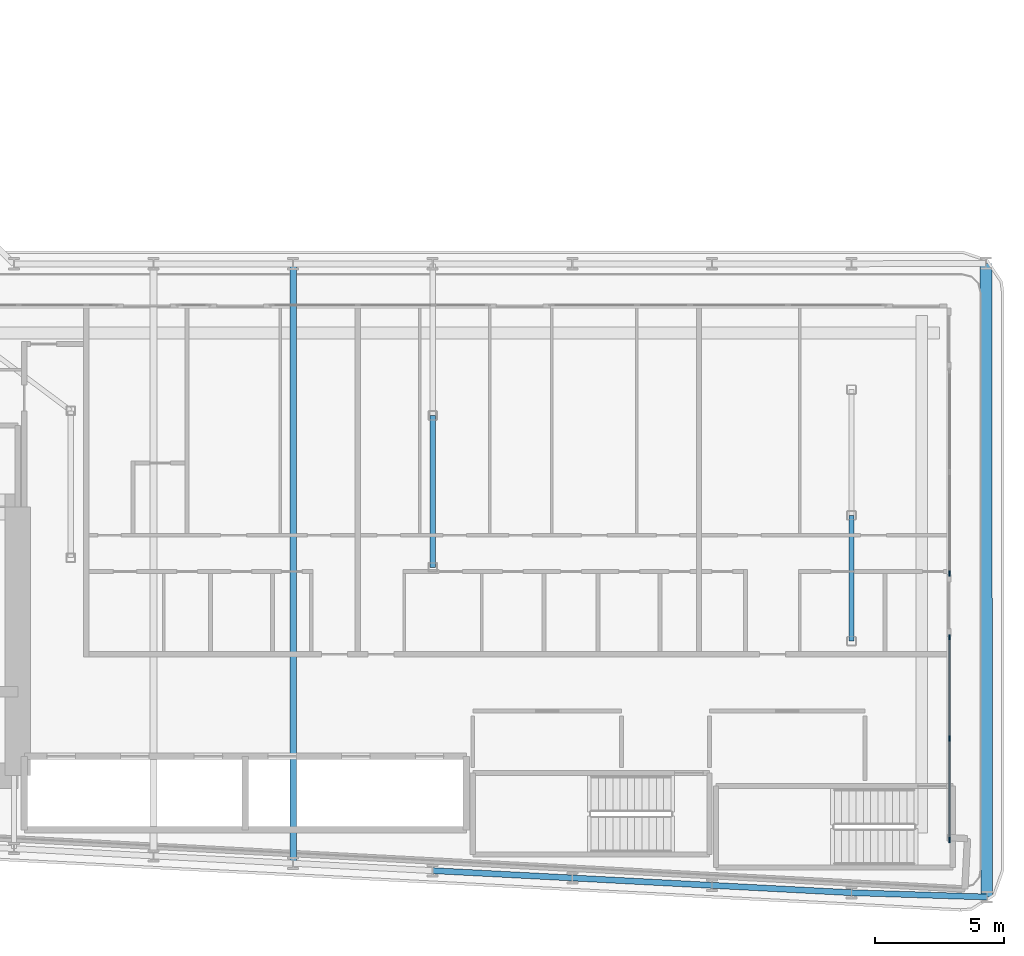
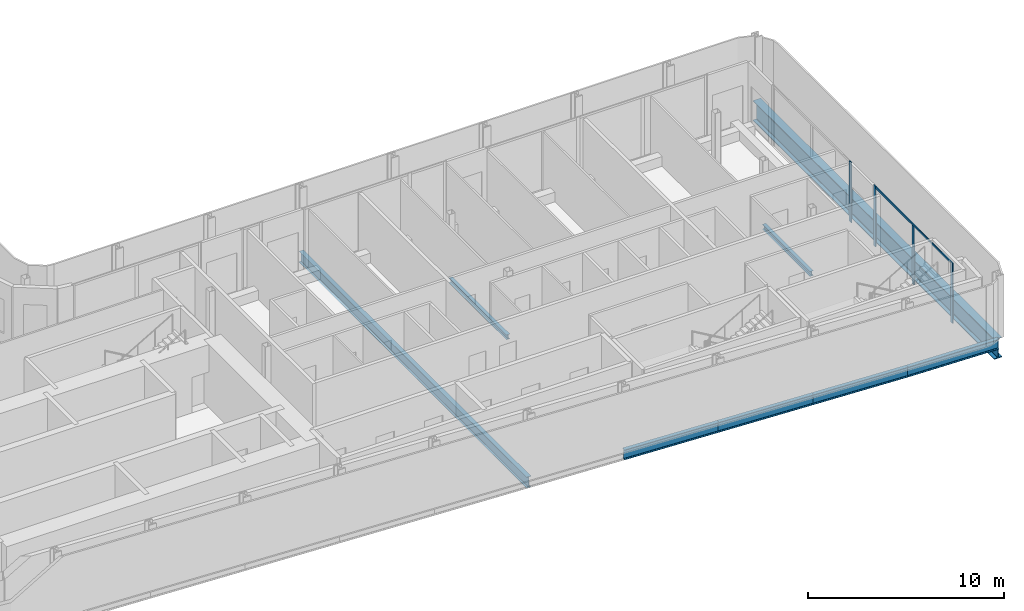
# One storey, part 5 of 24: 8 beams, 5 members, 2 elements without a shape of their own.
"""IFC4 building model written with IfcOpenShell, lengths in metres."""

from ifc_helpers import new_model, si_unit, direction, frame, origin, origin_2d, place, context, subcontext, project, spatial, rectangle, i_section, extrude, material, layer, layer_set, material_profile, profile_set, type_object, element, aggregate, save


model = new_model("IFC4")

# Units and contexts
model_context = context("Model", 3, precision=1e-05, world=origin(), true_north=direction((0.0, 1.0)))
body_context = subcontext(model_context, "Body", "Model", "MODEL_VIEW")
ifc_project = project(units=[si_unit("LENGTHUNIT", "METRE"), si_unit("AREAUNIT", "SQUARE_METRE"), si_unit("VOLUMEUNIT", "CUBIC_METRE"), si_unit("PLANEANGLEUNIT", "RADIAN"), si_unit("MASSUNIT", "GRAM", prefix="KILO")], contexts=[model_context])

# Site, building, storey
site_placement = place(None, origin())
site = spatial("IfcSite", under=ifc_project, at=site_placement, CompositionType="ELEMENT")
building_placement = place(site_placement, origin())
building = spatial("IfcBuilding", under=site, at=building_placement, Name="Kheshtan School and Residences Tower", CompositionType="ELEMENT")
storey_placement = place(building_placement, frame((0.0, 0.0, 38.300048828125)))
storey = spatial("IfcBuildingStorey", under=building, at=storey_placement, Name="L08", CompositionType="ELEMENT", Elevation=38.300048828125)

# Beams
ifc_material_1 = material(Name="Steel ASTM A992 Grade 50", Category="steel")
ifc_material_profile_1 = material_profile(ifc_material_1, i_section(OverallWidth=0.202880859375, OverallDepth=0.302978515625, WebThickness=0.007568359375, FlangeThickness=0.01318359375, FilletRadius=0.009033203125, at=origin_2d()), Name="W310x60")
ifc_profile_set_1 = profile_set([ifc_material_profile_1], Name="Steel ASTM A992 Grade 50")
beam_type_1 = type_object("IfcBeamType", Name="Beam FB1 W310x60 ASTM A992 Grade 50", PredefinedType="BEAM", material=ifc_profile_set_1)
beam_1_placement = place(storey_placement, frame((85.39990234375, 31.0048828125, -0.301513671875), z_axis=(0.0, 1.0, 0.0), x_axis=(-1.0, 0.0, 0.0)))
element("IfcBeam", 1, at=beam_1_placement, inside=storey, type_object=beam_type_1, Name="Floor beam IC", PredefinedType="BEAM", context=body_context, shape_type="SweptSolid", body=[
    extrude(i_section(OverallWidth=0.202880859375, OverallDepth=0.302978515625, WebThickness=0.007568359375, FlangeThickness=0.01318359375, FilletRadius=0.009033203125, at=origin_2d()), origin(), (0.0, 0.0, 1.0), 4.865234375),
])
beam_2_placement = place(storey_placement, frame((69.199951171875, 33.863037109375, -0.301513671875), z_axis=(0.0, 1.0, 0.0), x_axis=(-1.0, 0.0, 0.0)))
element("IfcBeam", 2, at=beam_2_placement, inside=storey, type_object=beam_type_1, Name="Floor beam IC", PredefinedType="BEAM", context=body_context, shape_type="SweptSolid", body=[
    extrude(i_section(OverallWidth=0.202880859375, OverallDepth=0.302978515625, WebThickness=0.007568359375, FlangeThickness=0.01318359375, FilletRadius=0.009033203125, at=origin_2d()), origin(), (0.0, 0.0, 1.0), 5.868896484375),
])
ifc_material_profile_2 = material_profile(ifc_material_1, i_section(OverallWidth=0.2529296875, OverallDepth=0.677978515625, WebThickness=0.01171875, FlangeThickness=0.016357421875, FilletRadius=0.0146484375, at=origin_2d()), Name="W690x125")
ifc_profile_set_2 = profile_set([ifc_material_profile_2], Name="Steel ASTM A992 Grade 50")
beam_type_2 = type_object("IfcBeamType", Name="Beam FB6 W690x125 ASTM A992 Grade 50", PredefinedType="BEAM", material=ifc_profile_set_2)
beam_3_placement = place(storey_placement, frame((63.800048828125, 22.410888671875, -0.489013671875), z_axis=(0.0, 1.0, 0.0), x_axis=(-1.0, 0.0, 0.0)))
element("IfcBeam", 3, at=beam_3_placement, inside=storey, type_object=beam_type_2, Name="Floor beam C016", PredefinedType="BEAM", context=body_context, shape_type="SweptSolid", body=[
    extrude(i_section(OverallWidth=0.2529296875, OverallDepth=0.677978515625, WebThickness=0.01171875, FlangeThickness=0.016357421875, FilletRadius=0.0146484375, at=origin_2d()), origin(), (0.0, 0.0, 1.0), 23.189208984375),
])
ifc_material_profile_3 = material_profile(ifc_material_1, i_section(OverallWidth=0.22998046875, OverallDepth=0.616943359375, WebThickness=0.01318359375, FlangeThickness=0.022216796875, FilletRadius=0.0185546875, at=origin_2d()), Name="W610x140")
ifc_profile_set_3 = profile_set([ifc_material_profile_3], Name="Steel ASTM A992 Grade 50")
beam_type_3 = type_object("IfcBeamType", Name="Beam SP1 W610x140 ASTM A992 Grade 50", PredefinedType="BEAM", material=ifc_profile_set_3)
beam_4_placement = place(storey_placement, frame((90.637939453125, 21.10693359375, -0.45849609375), z_axis=(-0.999492198162, 0.031864491426, 0.0), x_axis=(-0.031864491426, -0.999492198162, 0.0)))
element("IfcBeam", 4, at=beam_4_placement, inside=storey, type_object=beam_type_3, Name="Spandrel beam C007-C008", PredefinedType="BEAM", context=body_context, shape_type="SweptSolid", body=[
    extrude(i_section(OverallWidth=0.22998046875, OverallDepth=0.616943359375, WebThickness=0.01318359375, FlangeThickness=0.022216796875, FilletRadius=0.0185546875, at=origin_2d()), origin(), (0.0, 0.0, 1.0), 5.24072265625),
])
for number, where, z_axis, x_axis, name in (
    (5, (85.39990234375, 21.27392578125, -0.45849609375), (-0.998618078766, 0.052554093665, 0.0), (-0.052554093665, -0.998618078766, 0.0), "Spandrel beam C008-C012"),
    (6, (80.0, 21.55810546875, -0.45849609375), (-0.998610961136, 0.052689166816, 0.0), (-0.052689166816, -0.998610961136, 0.0), "Spandrel beam C012-C013"),
):
    element("IfcBeam", number, at=place(storey_placement, frame(where, z_axis=z_axis, x_axis=x_axis)), inside=storey, type_object=beam_type_3, Name=name, PredefinedType="BEAM", context=body_context, shape_type="SweptSolid", body=[
        extrude(i_section(OverallWidth=0.22998046875, OverallDepth=0.616943359375, WebThickness=0.01318359375, FlangeThickness=0.022216796875, FilletRadius=0.0185546875, at=origin_2d()), origin(), (0.0, 0.0, 1.0), 5.407470703125),
    ])
beam_5_placement = place(storey_placement, frame((74.60009765625, 21.843017578125, -0.45849609375), z_axis=(-0.998620571751, 0.05250670125, 0.0), x_axis=(-0.05250670125, -0.998620571751, 0.0)))
element("IfcBeam", 7, at=beam_5_placement, inside=storey, type_object=beam_type_3, Name="Spandrel beam C013-C014", PredefinedType="BEAM", context=body_context, shape_type="SweptSolid", body=[
    extrude(i_section(OverallWidth=0.22998046875, OverallDepth=0.616943359375, WebThickness=0.01318359375, FlangeThickness=0.022216796875, FilletRadius=0.0185546875, at=origin_2d()), origin(), (0.0, 0.0, 1.0), 5.40771484375),
])

# Curtain wall, member
ifc_material_2 = material(Name="Clear low-e glass in thermally broken aluminium frame", Category="aluminium")
ifc_layer = layer(ifc_material_2, 0.199951171875)
ifc_layer_set = layer_set([ifc_layer], Name="Curtain wall CW-L")
curtain_wall_type = type_object("IfcCurtainWallType", Name="Curtain wall CW-L", PredefinedType="NOTDEFINED", material=ifc_layer_set)
curtain_wall_1_placement = place(storey_placement, origin())
curtain_wall_1 = element("IfcCurtainWall", 8, at=curtain_wall_1_placement, inside=storey, type_object=curtain_wall_type, Name="Curtain wall CWL13", PredefinedType="NOTDEFINED")
ifc_material_3 = material(Name="Thermally broken aluminium, dark bronze anodised", Category="aluminium")
ifc_material_profile_4 = material_profile(ifc_material_3, rectangle(XDim=0.06005859375, YDim=0.199951171875, at=origin_2d()), Name="CW-L mullion 60x200")
ifc_profile_set_4 = profile_set([ifc_material_profile_4], Name="Thermally broken aluminium, dark bronze anodised")
member_type_1 = type_object("IfcMemberType", Name="CW-L mullion 60x200", PredefinedType="MULLION", material=ifc_profile_set_4)
member_1_placement = place(storey_placement, frame((89.199951171875, 33.62158203125, 0.0), z_axis=(0.0, 0.0, 1.0), x_axis=(1.0, 0.0, 0.0)))
member_1 = element("IfcMember", 9, at=member_1_placement, type_object=member_type_1, Name="CWL13 mullion 3", PredefinedType="MULLION", context=body_context, shape_type="SweptSolid", body=[
    extrude(rectangle(XDim=0.06005859375, YDim=0.199951171875, at=origin_2d()), origin(), (0.0, 0.0, 1.0), 3.75),
])
aggregate(curtain_wall_1, [member_1])

# Curtain wall, members
curtain_wall_2_placement = place(storey_placement, origin())
curtain_wall_2 = element("IfcCurtainWall", 10, at=curtain_wall_2_placement, inside=storey, type_object=curtain_wall_type, Name="Curtain wall CWL13", PredefinedType="NOTDEFINED")
member_2_placement = place(storey_placement, frame((89.199951171875, 31.16162109375, 0.0), z_axis=(0.0, 0.0, 1.0), x_axis=(1.0, 0.0, 0.0)))
member_2 = element("IfcMember", 11, at=member_2_placement, type_object=member_type_1, Name="CWL13 mullion 1", PredefinedType="MULLION", context=body_context, shape_type="SweptSolid", body=[
    extrude(rectangle(XDim=0.06005859375, YDim=0.199951171875, at=origin_2d()), origin(), (0.0, 0.0, 1.0), 3.75),
])
member_3_placement = place(storey_placement, frame((89.199951171875, 27.2373046875, 0.0), z_axis=(0.0, 0.0, 1.0), x_axis=(1.0, 0.0, 0.0)))
member_3 = element("IfcMember", 12, at=member_3_placement, type_object=member_type_1, Name="CWL13 mullion 2", PredefinedType="MULLION", context=body_context, shape_type="SweptSolid", body=[
    extrude(rectangle(XDim=0.06005859375, YDim=0.199951171875, at=origin_2d()), origin(), (0.0, 0.0, 1.0), 3.6298828125),
])
member_4_placement = place(storey_placement, frame((89.199951171875, 23.31298828125, 0.0), z_axis=(0.0, 0.0, 1.0), x_axis=(1.0, 0.0, 0.0)))
member_4 = element("IfcMember", 13, at=member_4_placement, type_object=member_type_1, Name="CWL13 mullion 3", PredefinedType="MULLION", context=body_context, shape_type="SweptSolid", body=[
    extrude(rectangle(XDim=0.06005859375, YDim=0.199951171875, at=origin_2d()), origin(), (0.0, 0.0, 1.0), 3.75),
])
ifc_material_profile_5 = material_profile(ifc_material_3, rectangle(XDim=0.06005859375, YDim=0.1201171875, at=origin_2d()), Name="CW-L transom 60x120")
ifc_profile_set_5 = profile_set([ifc_material_profile_5], Name="Thermally broken aluminium, dark bronze anodised")
member_type_2 = type_object("IfcMemberType", Name="CW-L transom 60x120", PredefinedType="USERDEFINED", material=ifc_profile_set_5)
member_5_placement = place(storey_placement, frame((89.199951171875, 31.131591796875, 3.68994140625), z_axis=(0.0, -1.0, 0.0), x_axis=(1.0, 0.0, 0.0)))
member_5 = element("IfcMember", 14, at=member_5_placement, type_object=member_type_2, Name="CWL13 transom 1", ObjectType="TRANSOM", PredefinedType="USERDEFINED", context=body_context, shape_type="SweptSolid", body=[
    extrude(rectangle(XDim=0.06005859375, YDim=0.1201171875, at=origin_2d()), origin(), (0.0, 0.0, 1.0), 7.78857421875),
])
aggregate(curtain_wall_2, [member_2, member_3, member_4, member_5])

# Beam
ifc_material_profile_6 = material_profile(ifc_material_1, i_section(OverallWidth=0.449951171875, OverallDepth=1.25, WebThickness=0.02490234375, FlangeThickness=0.044921875, FilletRadius=0.03759765625, at=origin_2d()), Name="WWF1250x546")
ifc_profile_set_6 = profile_set([ifc_material_profile_6], Name="Steel ASTM A992 Grade 50")
beam_type_4 = type_object("IfcBeamType", Name="Transfer girder TG4 WWF1250x546 ASTM A992 Grade 50", PredefinedType="BEAM", material=ifc_profile_set_6)
beam_6_placement = place(storey_placement, frame((90.60107421875, 45.62109375, -0.775146484375), z_axis=(0.001503832579, -0.999998869243, 0.0), x_axis=(0.999998869243, 0.001503832579, 0.0)))
element("IfcBeam", 15, at=beam_6_placement, inside=storey, type_object=beam_type_4, Name="Transfer girder C075-C007", PredefinedType="BEAM", context=body_context, shape_type="SweptSolid", body=[
    extrude(i_section(OverallWidth=0.449951171875, OverallDepth=1.25, WebThickness=0.02490234375, FlangeThickness=0.044921875, FilletRadius=0.03759765625, at=origin_2d()), origin(), (0.0, 0.0, 1.0), 24.51416015625),
])

save(model, "model.ifc")
